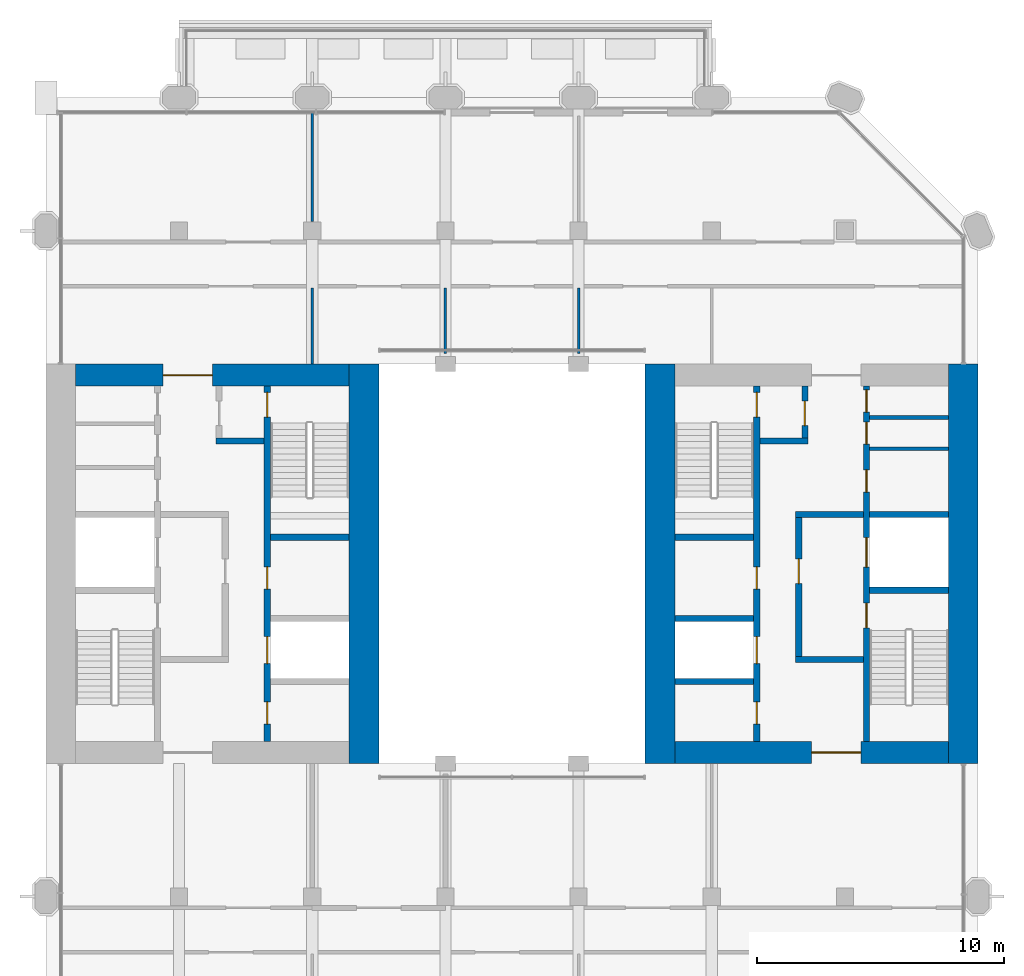
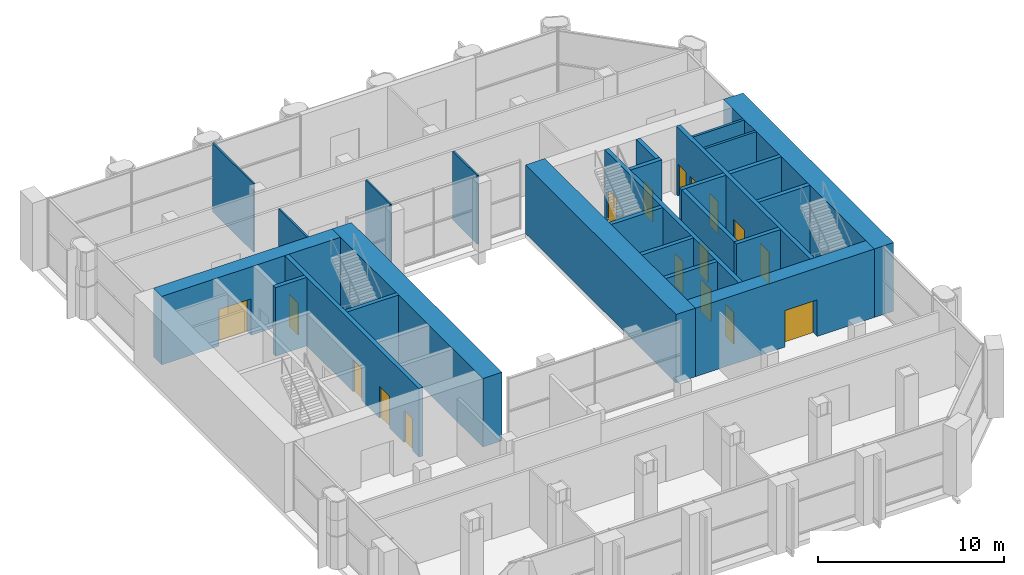
# One storey, part 9 of 13: 26 walls, 17 doors, 17 openings.
"""IFC4 building model written with IfcOpenShell, lengths in metres."""

from ifc_helpers import new_model, si_unit, direction, frame, frame_2d, origin, place, context, subcontext, project, spatial, rectangle, extrude, material, layer, layer_set, type_object, element, fill, save


model = new_model("IFC4")

# Units and contexts
model_context = context("Model", 3, precision=1e-05, world=origin(), true_north=direction((0.0, 1.0)))
body_context = subcontext(model_context, "Body", "Model", "MODEL_VIEW")
ifc_project = project(units=[si_unit("LENGTHUNIT", "METRE"), si_unit("AREAUNIT", "SQUARE_METRE"), si_unit("VOLUMEUNIT", "CUBIC_METRE"), si_unit("PLANEANGLEUNIT", "RADIAN"), si_unit("MASSUNIT", "GRAM", prefix="KILO")], contexts=[model_context])

# Site, building, storey
site_placement = place(None, origin())
site = spatial("IfcSite", under=ifc_project, at=site_placement, CompositionType="ELEMENT")
building_placement = place(site_placement, origin())
building = spatial("IfcBuilding", under=site, at=building_placement, Name="Tabaq Tower and Sports Hall", CompositionType="ELEMENT")
storey_placement = place(building_placement, frame((0.0, 0.0, 255.699951171875)))
storey = spatial("IfcBuildingStorey", under=building, at=storey_placement, Name="L62", CompositionType="ELEMENT", Elevation=255.699951171875)

# Walls
ifc_material_1 = material(Name="Blockwork", Category="masonry")
ifc_layer_1 = layer(ifc_material_1, 0.14990234375)
ifc_layer_set_1 = layer_set([ifc_layer_1], Name="Core room partition 150 Blockwork")
wall_type_1 = type_object("IfcWallType", Name="Core room partition 150 Blockwork", PredefinedType="PARTITIONING", material=ifc_layer_set_1)
for number, where, z_axis, x_axis, name in (
    (1, (38.800048828125, 28.962890625, 0.0), (0.0, 0.0, 1.0), (1.0, 0.0, 0.0), "Core room partition E L62"),
    (2, (38.800048828125, 30.23193359375, 0.0), (0.0, 0.0, 1.0), (1.0, 0.0, 0.0), "Core room partition E L62"),
):
    element("IfcWall", number, at=place(storey_placement, frame(where, z_axis=z_axis, x_axis=x_axis)), inside=storey, type_object=wall_type_1, Name=name, PredefinedType="PARTITIONING", context=body_context, shape_type="SweptSolid", body=[
        extrude(rectangle(XDim=3.199951171875, YDim=0.14990234375, at=frame_2d((1.60009765625, 0.0))), origin(), (0.0, 0.0, 1.0), 4.5),
    ])
ifc_material_2 = material(Name="Concrete C40/50", Category="concrete")
ifc_layer_2 = layer(ifc_material_2, 1.199951171875)
ifc_layer_set_2 = layer_set([ifc_layer_2], Name="Core wall 1200 Concrete C40/50")
wall_type_2 = type_object("IfcWallType", Name="Core wall 1200 Concrete C40/50", PredefinedType="SOLIDWALL", material=ifc_layer_set_2)
for number, where, z_axis, x_axis, name in (
    (3, (18.300048828125, 32.39990234375, 0.0), (0.0, 0.0, 1.0), (0.0, -1.0, 0.0), "Core wall W L62"),
    (4, (42.60009765625, 32.39990234375, 0.0), (0.0, 0.0, 1.0), (0.0, -1.0, 0.0), "Core wall E L62"),
    (5, (30.300048828125, 16.199951171875, 0.0), (0.0, 0.0, 1.0), (0.0, 1.0, 0.0), "Core wall E L62"),
):
    element("IfcWall", number, at=place(storey_placement, frame(where, z_axis=z_axis, x_axis=x_axis)), inside=storey, type_object=wall_type_2, Name=name, PredefinedType="SOLIDWALL", context=body_context, shape_type="SweptSolid", body=[
        extrude(rectangle(XDim=16.199951171875, YDim=1.199951171875, at=frame_2d((8.10009765625, 0.0))), origin(), (0.0, 0.0, 1.0), 4.5),
    ])

# Wall, opening, door
ifc_material_3 = material(Name="Concrete C40/50", Category="concrete")
ifc_layer_3 = layer(ifc_material_3, 0.89990234375)
ifc_layer_set_3 = layer_set([ifc_layer_3], Name="Core wall 900 Concrete C40/50")
wall_type_3 = type_object("IfcWallType", Name="Core wall 900 Concrete C40/50", PredefinedType="SOLIDWALL", material=ifc_layer_set_3)
wall_1_placement = place(storey_placement, frame((6.60009765625, 31.949951171875, 0.0), z_axis=(0.0, 0.0, 1.0), x_axis=(1.0, 0.0, 0.0)))
wall_1 = element("IfcWall", 6, at=wall_1_placement, inside=storey, type_object=wall_type_3, Name="Core wall W L62", PredefinedType="SOLIDWALL", context=body_context, shape_type="SweptSolid", body=[
    extrude(rectangle(XDim=11.099853515625, YDim=0.89990234375, at=frame_2d((5.5498046875, 0.0))), origin(), (0.0, 0.0, 1.0), 4.5),
])
opening_1_placement = place(wall_1_placement, frame((3.550048828125, 0.0, 0.0)))
opening_1 = element("IfcOpeningElement", 7, at=opening_1_placement, cuts=wall_1, Name="Opening PD-WL62-02", PredefinedType="OPENING", context=body_context, shape_type="SweptSolid", body=[
    extrude(rectangle(XDim=2.0, YDim=2.39990234375, at=frame_2d((1.0, 1.199951171875))), frame((0.0, 0.449951171875, 0.0), z_axis=(0.0, -1.0, 0.0), x_axis=(1.0, 0.0, 0.0)), (0.0, 0.0, 1.0), 0.89990234375),
])
ifc_material_4 = material(Name="Steel fire door", Category="steel")
door_type_1 = type_object("IfcDoorType", Name="Core entrance door 2000", OperationType="DOUBLE_DOOR_SINGLE_SWING", PredefinedType="DOOR", material=ifc_material_4)
door_1_placement = place(opening_1_placement, origin())
door_1 = element("IfcDoor", 8, at=door_1_placement, inside=storey, type_object=door_type_1, Name="Core entrance north W L62", OperationType="DOUBLE_DOOR_SINGLE_SWING", OverallHeight=2.39990234375, OverallWidth=2.0, PredefinedType="DOOR", context=body_context, shape_type="SweptSolid", body=[
    extrude(rectangle(XDim=2.0, YDim=2.39990234375, at=frame_2d((1.0, 1.199951171875))), frame((0.0, 0.02490234375, 0.0), z_axis=(0.0, -1.0, 0.0), x_axis=(1.0, 0.0, 0.0)), (0.0, 0.0, 1.0), 0.050048828125),
])
fill(opening_1, door_1)

wall_2_placement = place(storey_placement, frame((42.0, 16.64990234375, 0.0), z_axis=(0.0, 0.0, 1.0), x_axis=(-1.0, 0.0, 0.0)))
wall_2 = element("IfcWall", 9, at=wall_2_placement, inside=storey, type_object=wall_type_3, Name="Core wall E L62", PredefinedType="SOLIDWALL", context=body_context, shape_type="SweptSolid", body=[
    extrude(rectangle(XDim=11.10009765625, YDim=0.89990234375, at=frame_2d((5.550048828125, 0.0))), origin(), (0.0, 0.0, 1.0), 4.5),
])
opening_2_placement = place(wall_2_placement, frame((3.550048828125, 0.0, 0.0)))
opening_2 = element("IfcOpeningElement", 10, at=opening_2_placement, cuts=wall_2, Name="Opening PD-EL62-01", PredefinedType="OPENING", context=body_context, shape_type="SweptSolid", body=[
    extrude(rectangle(XDim=2.0, YDim=2.39990234375, at=frame_2d((1.0, 1.199951171875))), frame((0.0, 0.449951171875, 0.0), z_axis=(0.0, -1.0, 0.0), x_axis=(1.0, 0.0, 0.0)), (0.0, 0.0, 1.0), 0.89990234375),
])
door_2_placement = place(opening_2_placement, origin())
door_2 = element("IfcDoor", 11, at=door_2_placement, inside=storey, type_object=door_type_1, Name="Core entrance south E L62", OperationType="DOUBLE_DOOR_SINGLE_SWING", OverallHeight=2.39990234375, OverallWidth=2.0, PredefinedType="DOOR", context=body_context, shape_type="SweptSolid", body=[
    extrude(rectangle(XDim=2.0, YDim=2.39990234375, at=frame_2d((1.0, 1.199951171875))), frame((0.0, 0.02490234375, 0.0), z_axis=(0.0, -1.0, 0.0), x_axis=(1.0, 0.0, 0.0)), (0.0, 0.0, 1.0), 0.050048828125),
])
fill(opening_2, door_2)

# Walls
ifc_material_5 = material(Name="Gypsum board on steel studs", Category="steel")
ifc_layer_4 = layer(ifc_material_5, 0.10009765625)
ifc_layer_set_4 = layer_set([ifc_layer_4], Name="Partition 100 Gypsum board")
wall_type_4 = type_object("IfcWallType", Name="Partition 100 Gypsum board", PredefinedType="PARTITIONING", material=ifc_layer_set_4)
wall_3_placement = place(storey_placement, frame((16.199951171875, 42.60009765625, 0.0), z_axis=(0.0, 0.0, 1.0), x_axis=(0.0, -1.0, 0.0)))
element("IfcWall", 12, at=wall_3_placement, inside=storey, type_object=wall_type_4, Name="Partition wall L62", PredefinedType="PARTITIONING", context=body_context, shape_type="SweptSolid", body=[
    extrude(rectangle(XDim=4.43017578125, YDim=0.10009765625, at=frame_2d((2.215087890625, 0.0))), origin(), (0.0, 0.0, 1.0), 4.5),
])
for number, where, z_axis, x_axis, name in (
    (13, (27.0, 35.47509765625, 0.0), (0.0, 0.0, 1.0), (0.0, -1.0, 0.0), "Partition wall L62"),
    (14, (21.60009765625, 35.47509765625, 0.0), (0.0, 0.0, 1.0), (0.0, -1.0, 0.0), "Partition wall L62"),
):
    element("IfcWall", number, at=place(storey_placement, frame(where, z_axis=z_axis, x_axis=x_axis)), inside=storey, type_object=wall_type_4, Name=name, PredefinedType="PARTITIONING", context=body_context, shape_type="SweptSolid", body=[
        extrude(rectangle(XDim=2.655029296875, YDim=0.10009765625, at=frame_2d((1.32763671875, 0.0))), origin(), (0.0, 0.0, 1.0), 4.5),
    ])
wall_4_placement = place(storey_placement, frame((16.199951171875, 35.47509765625, 0.0), z_axis=(0.0, 0.0, 1.0), x_axis=(0.0, -1.0, 0.0)))
element("IfcWall", 15, at=wall_4_placement, inside=storey, type_object=wall_type_4, Name="Partition wall L62", PredefinedType="PARTITIONING", context=body_context, shape_type="SweptSolid", body=[
    extrude(rectangle(XDim=3.0751953125, YDim=0.10009765625, at=frame_2d((1.53759765625, 0.0))), origin(), (0.0, 0.0, 1.0), 4.5),
])

# Wall, openings, doors
ifc_material_6 = material(Name="Concrete C40/50", Category="concrete")
ifc_layer_5 = layer(ifc_material_6, 0.25)
ifc_layer_set_5 = layer_set([ifc_layer_5], Name="Shaft and stair wall 250 Concrete C40/50")
wall_type_5 = type_object("IfcWallType", Name="Shaft and stair wall 250 Concrete C40/50", PredefinedType="SOLIDWALL", material=ifc_layer_set_5)
wall_5_placement = place(storey_placement, frame((14.375, 17.10009765625, 0.0), z_axis=(0.0, 0.0, 1.0), x_axis=(0.0, 1.0, 0.0)))
wall_5 = element("IfcWall", 16, at=wall_5_placement, inside=storey, type_object=wall_type_5, Name="Shaft wall W L62", PredefinedType="SOLIDWALL", context=body_context, shape_type="SweptSolid", body=[
    extrude(rectangle(XDim=14.39990234375, YDim=0.25, at=frame_2d((7.199951171875, 0.0))), origin(), (0.0, 0.0, 1.0), 4.5),
])
opening_3_placement = place(wall_5_placement, frame((13.14990234375, 0.0, 0.0)))
opening_3 = element("IfcOpeningElement", 17, at=opening_3_placement, cuts=wall_5, Name="Opening SD-WL62-05", PredefinedType="OPENING", context=body_context, shape_type="SweptSolid", body=[
    extrude(rectangle(XDim=1.0, YDim=2.10009765625, at=frame_2d((0.5, 1.050048828125))), frame((0.0, 0.125, 0.0), z_axis=(0.0, -1.0, 0.0), x_axis=(1.0, 0.0, 0.0)), (0.0, 0.0, 1.0), 0.25),
])
opening_4_placement = place(wall_5_placement, frame((3.14990234375, 0.0, 0.0)))
opening_4 = element("IfcOpeningElement", 18, at=opening_4_placement, cuts=wall_5, Name="Opening LD-HR1-L62", PredefinedType="OPENING", context=body_context, shape_type="SweptSolid", body=[
    extrude(rectangle(XDim=1.10009765625, YDim=2.10009765625, at=frame_2d((0.550048828125, 1.050048828125))), frame((0.0, 0.125, 0.0), z_axis=(0.0, -1.0, 0.0), x_axis=(1.0, 0.0, 0.0)), (0.0, 0.0, 1.0), 0.25),
])
opening_5_placement = place(wall_5_placement, frame((0.699951171875, 0.0, 0.0)))
opening_5 = element("IfcOpeningElement", 19, at=opening_5_placement, cuts=wall_5, Name="Opening RD-WL62-12", PredefinedType="OPENING", context=body_context, shape_type="SweptSolid", body=[
    extrude(rectangle(XDim=0.89990234375, YDim=2.10009765625, at=frame_2d((0.449951171875, 1.050048828125))), frame((0.0, 0.125, 0.0), z_axis=(0.0, -1.0, 0.0), x_axis=(1.0, 0.0, 0.0)), (0.0, 0.0, 1.0), 0.25),
])
opening_6_placement = place(wall_5_placement, frame((6.175048828125, 0.0, 0.0)))
opening_6 = element("IfcOpeningElement", 20, at=opening_6_placement, cuts=wall_5, Name="Opening RD-WL62-13", PredefinedType="OPENING", context=body_context, shape_type="SweptSolid", body=[
    extrude(rectangle(XDim=0.89990234375, YDim=2.10009765625, at=frame_2d((0.449951171875, 1.050048828125))), frame((0.0, 0.125, 0.0), z_axis=(0.0, -1.0, 0.0), x_axis=(1.0, 0.0, 0.0)), (0.0, 0.0, 1.0), 0.25),
])
ifc_material_7 = material(Name="Steel fire door", Category="steel")
door_type_2 = type_object("IfcDoorType", Name="Core room door 900", OperationType="SINGLE_SWING_LEFT", PredefinedType="DOOR", material=ifc_material_7)
door_3_placement = place(opening_5_placement, origin())
door_3 = element("IfcDoor", 21, at=door_3_placement, inside=storey, type_object=door_type_2, Name="Door Electrical Riser Room W L62", OperationType="SINGLE_SWING_LEFT", OverallHeight=2.10009765625, OverallWidth=0.89990234375, PredefinedType="DOOR", context=body_context, shape_type="SweptSolid", body=[
    extrude(rectangle(XDim=0.89990234375, YDim=2.10009765625, at=frame_2d((0.449951171875, 1.050048828125))), frame((0.0, 0.02490234375, 0.0), z_axis=(0.0, -1.0, 0.0), x_axis=(1.0, 0.0, 0.0)), (0.0, 0.0, 1.0), 0.050048828125),
])
fill(opening_5, door_3)
door_4_placement = place(opening_6_placement, origin())
door_4 = element("IfcDoor", 22, at=door_4_placement, inside=storey, type_object=door_type_2, Name="Door Riser Room W L62", OperationType="SINGLE_SWING_LEFT", OverallHeight=2.10009765625, OverallWidth=0.89990234375, PredefinedType="DOOR", context=body_context, shape_type="SweptSolid", body=[
    extrude(rectangle(XDim=0.89990234375, YDim=2.10009765625, at=frame_2d((0.449951171875, 1.050048828125))), frame((0.0, 0.02490234375, 0.0), z_axis=(0.0, -1.0, 0.0), x_axis=(1.0, 0.0, 0.0)), (0.0, 0.0, 1.0), 0.050048828125),
])
fill(opening_6, door_4)
ifc_material_8 = material(Name="Stainless steel", Category="steel")
door_type_3 = type_object("IfcDoorType", Name="Lift landing door 1100", OperationType="DOUBLE_DOOR_SLIDING", PredefinedType="DOOR", material=ifc_material_8)
door_5_placement = place(opening_4_placement, origin())
door_5 = element("IfcDoor", 23, at=door_5_placement, inside=storey, type_object=door_type_3, Name="Lift landing door HR1 W L62", OperationType="DOUBLE_DOOR_SLIDING", OverallHeight=2.10009765625, OverallWidth=1.10009765625, PredefinedType="DOOR", context=body_context, shape_type="SweptSolid", body=[
    extrude(rectangle(XDim=1.10009765625, YDim=2.10009765625, at=frame_2d((0.550048828125, 1.050048828125))), frame((0.0, 0.02490234375, 0.0), z_axis=(0.0, -1.0, 0.0), x_axis=(1.0, 0.0, 0.0)), (0.0, 0.0, 1.0), 0.050048828125),
])
fill(opening_4, door_5)
ifc_material_9 = material(Name="Steel fire door", Category="steel")
door_type_4 = type_object("IfcDoorType", Name="Stair door 1000", OperationType="SINGLE_SWING_LEFT", PredefinedType="DOOR", material=ifc_material_9)
door_6_placement = place(opening_3_placement, origin())
door_6 = element("IfcDoor", 24, at=door_6_placement, inside=storey, type_object=door_type_4, Name="Stair door ST2 W L62", OperationType="SINGLE_SWING_LEFT", OverallHeight=2.10009765625, OverallWidth=1.0, PredefinedType="DOOR", context=body_context, shape_type="SweptSolid", body=[
    extrude(rectangle(XDim=1.0, YDim=2.10009765625, at=frame_2d((0.5, 1.050048828125))), frame((0.0, 0.02490234375, 0.0), z_axis=(0.0, -1.0, 0.0), x_axis=(1.0, 0.0, 0.0)), (0.0, 0.0, 1.0), 0.050048828125),
])
fill(opening_3, door_6)

# Walls
wall_6_placement = place(storey_placement, frame((14.5, 25.375, 0.0), z_axis=(0.0, 0.0, 1.0), x_axis=(1.0, 0.0, 0.0)))
element("IfcWall", 25, at=wall_6_placement, inside=storey, type_object=wall_type_5, Name="Stair enclosure wall W L62", PredefinedType="SOLIDWALL", context=body_context, shape_type="SweptSolid", body=[
    extrude(rectangle(XDim=3.199951171875, YDim=0.25, at=frame_2d((1.60009765625, 0.0))), origin(), (0.0, 0.0, 1.0), 4.5),
])
wall_7_placement = place(storey_placement, frame((12.300048828125, 29.27490234375, 0.0), z_axis=(0.0, 0.0, 1.0), x_axis=(1.0, 0.0, 0.0)))
element("IfcWall", 26, at=wall_7_placement, inside=storey, type_object=wall_type_5, Name="Fire-fighting lobby wall W L62", PredefinedType="SOLIDWALL", context=body_context, shape_type="SweptSolid", body=[
    extrude(rectangle(XDim=1.949951171875, YDim=0.25, at=frame_2d((0.97509765625, 0.0))), origin(), (0.0, 0.0, 1.0), 4.5),
])

# Wall, openings, doors
wall_8_placement = place(storey_placement, frame((38.675048828125, 17.10009765625, 0.0), z_axis=(0.0, 0.0, 1.0), x_axis=(0.0, 1.0, 0.0)))
wall_8 = element("IfcWall", 27, at=wall_8_placement, inside=storey, type_object=wall_type_5, Name="Shaft wall E L62", PredefinedType="SOLIDWALL", context=body_context, shape_type="SweptSolid", body=[
    extrude(rectangle(XDim=14.39990234375, YDim=0.25, at=frame_2d((7.199951171875, 0.0))), origin(), (0.0, 0.0, 1.0), 4.5),
])
opening_7_placement = place(wall_8_placement, frame((4.60009765625, 0.0, 0.0)))
opening_7 = element("IfcOpeningElement", 28, at=opening_7_placement, cuts=wall_8, Name="Opening SD-EL62-03", PredefinedType="OPENING", context=body_context, shape_type="SweptSolid", body=[
    extrude(rectangle(XDim=1.0, YDim=2.10009765625, at=frame_2d((0.5, 1.050048828125))), frame((0.0, 0.125, 0.0), z_axis=(0.0, -1.0, 0.0), x_axis=(1.0, 0.0, 0.0)), (0.0, 0.0, 1.0), 0.25),
])
opening_8_placement = place(wall_8_placement, frame((7.0625, 0.0, 0.0)))
opening_8 = element("IfcOpeningElement", 29, at=opening_8_placement, cuts=wall_8, Name="Opening LD-FF2-L62", PredefinedType="OPENING", context=body_context, shape_type="SweptSolid", body=[
    extrude(rectangle(XDim=1.199951171875, YDim=2.10009765625, at=frame_2d((0.60009765625, 1.050048828125))), frame((0.0, 0.125, 0.0), z_axis=(0.0, -1.0, 0.0), x_axis=(1.0, 0.0, 0.0)), (0.0, 0.0, 1.0), 0.25),
])
opening_9_placement = place(wall_8_placement, frame((10.1064453125, 0.0, 0.0)))
opening_9 = element("IfcOpeningElement", 30, at=opening_9_placement, cuts=wall_8, Name="Opening RD-EL62-09", PredefinedType="OPENING", context=body_context, shape_type="SweptSolid", body=[
    extrude(rectangle(XDim=0.89990234375, YDim=2.10009765625, at=frame_2d((0.449951171875, 1.050048828125))), frame((0.0, 0.125, 0.0), z_axis=(0.0, -1.0, 0.0), x_axis=(1.0, 0.0, 0.0)), (0.0, 0.0, 1.0), 0.25),
])
opening_10_placement = place(wall_8_placement, frame((12.047607421875, 0.0, 0.0)))
opening_10 = element("IfcOpeningElement", 31, at=opening_10_placement, cuts=wall_8, Name="Opening RD-EL62-10", PredefinedType="OPENING", context=body_context, shape_type="SweptSolid", body=[
    extrude(rectangle(XDim=0.89990234375, YDim=2.10009765625, at=frame_2d((0.449951171875, 1.050048828125))), frame((0.0, 0.125, 0.0), z_axis=(0.0, -1.0, 0.0), x_axis=(1.0, 0.0, 0.0)), (0.0, 0.0, 1.0), 0.25),
])
opening_11_placement = place(wall_8_placement, frame((13.353515625, 0.0, 0.0)))
opening_11 = element("IfcOpeningElement", 32, at=opening_11_placement, cuts=wall_8, Name="Opening RD-EL62-11", PredefinedType="OPENING", context=body_context, shape_type="SweptSolid", body=[
    extrude(rectangle(XDim=0.89990234375, YDim=2.10009765625, at=frame_2d((0.449951171875, 1.050048828125))), frame((0.0, 0.125, 0.0), z_axis=(0.0, -1.0, 0.0), x_axis=(1.0, 0.0, 0.0)), (0.0, 0.0, 1.0), 0.25),
])
door_7_placement = place(opening_9_placement, origin())
door_7 = element("IfcDoor", 33, at=door_7_placement, inside=storey, type_object=door_type_2, Name="Door Unisex WC E L62", OperationType="SINGLE_SWING_LEFT", OverallHeight=2.10009765625, OverallWidth=0.89990234375, PredefinedType="DOOR", context=body_context, shape_type="SweptSolid", body=[
    extrude(rectangle(XDim=0.89990234375, YDim=2.10009765625, at=frame_2d((0.449951171875, 1.050048828125))), frame((0.0, 0.02490234375, 0.0), z_axis=(0.0, -1.0, 0.0), x_axis=(1.0, 0.0, 0.0)), (0.0, 0.0, 1.0), 0.050048828125),
])
fill(opening_9, door_7)
door_8_placement = place(opening_10_placement, origin())
door_8 = element("IfcDoor", 34, at=door_8_placement, inside=storey, type_object=door_type_2, Name="Door Cleaner's Store E L62", OperationType="SINGLE_SWING_LEFT", OverallHeight=2.10009765625, OverallWidth=0.89990234375, PredefinedType="DOOR", context=body_context, shape_type="SweptSolid", body=[
    extrude(rectangle(XDim=0.89990234375, YDim=2.10009765625, at=frame_2d((0.449951171875, 1.050048828125))), frame((0.0, 0.02490234375, 0.0), z_axis=(0.0, -1.0, 0.0), x_axis=(1.0, 0.0, 0.0)), (0.0, 0.0, 1.0), 0.050048828125),
])
fill(opening_10, door_8)
door_9_placement = place(opening_11_placement, origin())
door_9 = element("IfcDoor", 35, at=door_9_placement, inside=storey, type_object=door_type_2, Name="Door Accessible WC E L62", OperationType="SINGLE_SWING_LEFT", OverallHeight=2.10009765625, OverallWidth=0.89990234375, PredefinedType="DOOR", context=body_context, shape_type="SweptSolid", body=[
    extrude(rectangle(XDim=0.89990234375, YDim=2.10009765625, at=frame_2d((0.449951171875, 1.050048828125))), frame((0.0, 0.02490234375, 0.0), z_axis=(0.0, -1.0, 0.0), x_axis=(1.0, 0.0, 0.0)), (0.0, 0.0, 1.0), 0.050048828125),
])
fill(opening_11, door_9)
ifc_material_10 = material(Name="Stainless steel", Category="steel")
door_type_5 = type_object("IfcDoorType", Name="Lift landing door 1200", OperationType="DOUBLE_DOOR_SLIDING", PredefinedType="DOOR", material=ifc_material_10)
door_10_placement = place(opening_8_placement, origin())
door_10 = element("IfcDoor", 36, at=door_10_placement, inside=storey, type_object=door_type_5, Name="Lift landing door FF2 E L62", OperationType="DOUBLE_DOOR_SLIDING", OverallHeight=2.10009765625, OverallWidth=1.199951171875, PredefinedType="DOOR", context=body_context, shape_type="SweptSolid", body=[
    extrude(rectangle(XDim=1.199951171875, YDim=2.10009765625, at=frame_2d((0.60009765625, 1.050048828125))), frame((0.0, 0.02490234375, 0.0), z_axis=(0.0, -1.0, 0.0), x_axis=(1.0, 0.0, 0.0)), (0.0, 0.0, 1.0), 0.050048828125),
])
fill(opening_8, door_10)
door_11_placement = place(opening_7_placement, origin())
door_11 = element("IfcDoor", 37, at=door_11_placement, inside=storey, type_object=door_type_4, Name="Stair door ST3 E L62", OperationType="SINGLE_SWING_LEFT", OverallHeight=2.10009765625, OverallWidth=1.0, PredefinedType="DOOR", context=body_context, shape_type="SweptSolid", body=[
    extrude(rectangle(XDim=1.0, YDim=2.10009765625, at=frame_2d((0.5, 1.050048828125))), frame((0.0, 0.02490234375, 0.0), z_axis=(0.0, -1.0, 0.0), x_axis=(1.0, 0.0, 0.0)), (0.0, 0.0, 1.0), 0.050048828125),
])
fill(opening_7, door_11)

wall_9_placement = place(storey_placement, frame((34.22509765625, 17.10009765625, 0.0), z_axis=(0.0, 0.0, 1.0), x_axis=(0.0, 1.0, 0.0)))
wall_9 = element("IfcWall", 38, at=wall_9_placement, inside=storey, type_object=wall_type_5, Name="Shaft wall E L62", PredefinedType="SOLIDWALL", context=body_context, shape_type="SweptSolid", body=[
    extrude(rectangle(XDim=14.39990234375, YDim=0.25, at=frame_2d((7.199951171875, 0.0))), origin(), (0.0, 0.0, 1.0), 4.5),
])
opening_12_placement = place(wall_9_placement, frame((13.14990234375, 0.0, 0.0)))
opening_12 = element("IfcOpeningElement", 39, at=opening_12_placement, cuts=wall_9, Name="Opening SD-EL62-05", PredefinedType="OPENING", context=body_context, shape_type="SweptSolid", body=[
    extrude(rectangle(XDim=1.0, YDim=2.10009765625, at=frame_2d((0.5, 1.050048828125))), frame((0.0, 0.125, 0.0), z_axis=(0.0, -1.0, 0.0), x_axis=(1.0, 0.0, 0.0)), (0.0, 0.0, 1.0), 0.25),
])
opening_13_placement = place(wall_9_placement, frame((3.14990234375, 0.0, 0.0)))
opening_13 = element("IfcOpeningElement", 40, at=opening_13_placement, cuts=wall_9, Name="Opening LD-HR2-L62", PredefinedType="OPENING", context=body_context, shape_type="SweptSolid", body=[
    extrude(rectangle(XDim=1.10009765625, YDim=2.10009765625, at=frame_2d((0.550048828125, 1.050048828125))), frame((0.0, 0.125, 0.0), z_axis=(0.0, -1.0, 0.0), x_axis=(1.0, 0.0, 0.0)), (0.0, 0.0, 1.0), 0.25),
])
opening_14_placement = place(wall_9_placement, frame((0.699951171875, 0.0, 0.0)))
opening_14 = element("IfcOpeningElement", 41, at=opening_14_placement, cuts=wall_9, Name="Opening RD-EL62-12", PredefinedType="OPENING", context=body_context, shape_type="SweptSolid", body=[
    extrude(rectangle(XDim=0.89990234375, YDim=2.10009765625, at=frame_2d((0.449951171875, 1.050048828125))), frame((0.0, 0.125, 0.0), z_axis=(0.0, -1.0, 0.0), x_axis=(1.0, 0.0, 0.0)), (0.0, 0.0, 1.0), 0.25),
])
opening_15_placement = place(wall_9_placement, frame((6.175048828125, 0.0, 0.0)))
opening_15 = element("IfcOpeningElement", 42, at=opening_15_placement, cuts=wall_9, Name="Opening RD-EL62-13", PredefinedType="OPENING", context=body_context, shape_type="SweptSolid", body=[
    extrude(rectangle(XDim=0.89990234375, YDim=2.10009765625, at=frame_2d((0.449951171875, 1.050048828125))), frame((0.0, 0.125, 0.0), z_axis=(0.0, -1.0, 0.0), x_axis=(1.0, 0.0, 0.0)), (0.0, 0.0, 1.0), 0.25),
])
door_12_placement = place(opening_14_placement, origin())
door_12 = element("IfcDoor", 43, at=door_12_placement, inside=storey, type_object=door_type_2, Name="Door Electrical Riser Room E L62", OperationType="SINGLE_SWING_LEFT", OverallHeight=2.10009765625, OverallWidth=0.89990234375, PredefinedType="DOOR", context=body_context, shape_type="SweptSolid", body=[
    extrude(rectangle(XDim=0.89990234375, YDim=2.10009765625, at=frame_2d((0.449951171875, 1.050048828125))), frame((0.0, 0.02490234375, 0.0), z_axis=(0.0, -1.0, 0.0), x_axis=(1.0, 0.0, 0.0)), (0.0, 0.0, 1.0), 0.050048828125),
])
fill(opening_14, door_12)
door_13_placement = place(opening_15_placement, origin())
door_13 = element("IfcDoor", 44, at=door_13_placement, inside=storey, type_object=door_type_2, Name="Door Riser Room E L62", OperationType="SINGLE_SWING_LEFT", OverallHeight=2.10009765625, OverallWidth=0.89990234375, PredefinedType="DOOR", context=body_context, shape_type="SweptSolid", body=[
    extrude(rectangle(XDim=0.89990234375, YDim=2.10009765625, at=frame_2d((0.449951171875, 1.050048828125))), frame((0.0, 0.02490234375, 0.0), z_axis=(0.0, -1.0, 0.0), x_axis=(1.0, 0.0, 0.0)), (0.0, 0.0, 1.0), 0.050048828125),
])
fill(opening_15, door_13)
door_14_placement = place(opening_13_placement, origin())
door_14 = element("IfcDoor", 45, at=door_14_placement, inside=storey, type_object=door_type_3, Name="Lift landing door HR2 E L62", OperationType="DOUBLE_DOOR_SLIDING", OverallHeight=2.10009765625, OverallWidth=1.10009765625, PredefinedType="DOOR", context=body_context, shape_type="SweptSolid", body=[
    extrude(rectangle(XDim=1.10009765625, YDim=2.10009765625, at=frame_2d((0.550048828125, 1.050048828125))), frame((0.0, 0.02490234375, 0.0), z_axis=(0.0, -1.0, 0.0), x_axis=(1.0, 0.0, 0.0)), (0.0, 0.0, 1.0), 0.050048828125),
])
fill(opening_13, door_14)
door_15_placement = place(opening_12_placement, origin())
door_15 = element("IfcDoor", 46, at=door_15_placement, inside=storey, type_object=door_type_4, Name="Stair door ST4 E L62", OperationType="SINGLE_SWING_LEFT", OverallHeight=2.10009765625, OverallWidth=1.0, PredefinedType="DOOR", context=body_context, shape_type="SweptSolid", body=[
    extrude(rectangle(XDim=1.0, YDim=2.10009765625, at=frame_2d((0.5, 1.050048828125))), frame((0.0, 0.02490234375, 0.0), z_axis=(0.0, -1.0, 0.0), x_axis=(1.0, 0.0, 0.0)), (0.0, 0.0, 1.0), 0.050048828125),
])
fill(opening_12, door_15)

# Walls
wall_10_placement = place(storey_placement, frame((38.800048828125, 23.22509765625, 0.0), z_axis=(0.0, 0.0, 1.0), x_axis=(1.0, 0.0, 0.0)))
element("IfcWall", 47, at=wall_10_placement, inside=storey, type_object=wall_type_5, Name="Stair enclosure wall E L62", PredefinedType="SOLIDWALL", context=body_context, shape_type="SweptSolid", body=[
    extrude(rectangle(XDim=3.199951171875, YDim=0.25, at=frame_2d((1.60009765625, 0.0))), origin(), (0.0, 0.0, 1.0), 4.5),
])
for number, where, z_axis, x_axis, name in (
    (48, (30.89990234375, 25.375, 0.0), (0.0, 0.0, 1.0), (1.0, 0.0, 0.0), "Stair enclosure wall E L62"),
    (49, (30.89990234375, 22.074951171875, 0.0), (0.0, 0.0, 1.0), (1.0, 0.0, 0.0), "Shaft wall E L62"),
):
    element("IfcWall", number, at=place(storey_placement, frame(where, z_axis=z_axis, x_axis=x_axis)), inside=storey, type_object=wall_type_5, Name=name, PredefinedType="SOLIDWALL", context=body_context, shape_type="SweptSolid", body=[
        extrude(rectangle(XDim=3.2001953125, YDim=0.25, at=frame_2d((1.60009765625, 0.0))), origin(), (0.0, 0.0, 1.0), 4.5),
    ])
wall_11_placement = place(storey_placement, frame((38.800048828125, 26.300048828125, 0.0), z_axis=(0.0, 0.0, 1.0), x_axis=(1.0, 0.0, 0.0)))
element("IfcWall", 50, at=wall_11_placement, inside=storey, type_object=wall_type_5, Name="Shaft wall E L62", PredefinedType="SOLIDWALL", context=body_context, shape_type="SweptSolid", body=[
    extrude(rectangle(XDim=3.199951171875, YDim=0.25, at=frame_2d((1.60009765625, 0.0))), origin(), (0.0, 0.0, 1.0), 4.5),
])
for number, where, z_axis, x_axis, name in (
    (51, (35.800048828125, 26.300048828125, 0.0), (0.0, 0.0, 1.0), (1.0, 0.0, 0.0), "Fire-fighting lobby wall E L62"),
    (52, (35.800048828125, 20.425048828125, 0.0), (0.0, 0.0, 1.0), (1.0, 0.0, 0.0), "Fire-fighting lobby wall E L62"),
):
    element("IfcWall", number, at=place(storey_placement, frame(where, z_axis=z_axis, x_axis=x_axis)), inside=storey, type_object=wall_type_5, Name=name, PredefinedType="SOLIDWALL", context=body_context, shape_type="SweptSolid", body=[
        extrude(rectangle(XDim=2.75, YDim=0.25, at=frame_2d((1.375, 0.0))), origin(), (0.0, 0.0, 1.0), 4.5),
    ])

# Wall, opening, door
wall_12_placement = place(storey_placement, frame((36.175048828125, 29.39990234375, 0.0), z_axis=(0.0, 0.0, 1.0), x_axis=(0.0, 1.0, 0.0)))
wall_12 = element("IfcWall", 53, at=wall_12_placement, inside=storey, type_object=wall_type_5, Name="Fire-fighting lobby wall E L62", PredefinedType="SOLIDWALL", context=body_context, shape_type="SweptSolid", body=[
    extrude(rectangle(XDim=2.10009765625, YDim=0.25, at=frame_2d((1.050048828125, 0.0))), origin(), (0.0, 0.0, 1.0), 4.5),
])
opening_16_placement = place(wall_12_placement, frame((0.5, 0.0, 0.0)))
opening_16 = element("IfcOpeningElement", 54, at=opening_16_placement, cuts=wall_12, Name="Opening FD-EL62-06", PredefinedType="OPENING", context=body_context, shape_type="SweptSolid", body=[
    extrude(rectangle(XDim=1.0, YDim=2.10009765625, at=frame_2d((0.5, 1.050048828125))), frame((0.0, 0.125, 0.0), z_axis=(0.0, -1.0, 0.0), x_axis=(1.0, 0.0, 0.0)), (0.0, 0.0, 1.0), 0.25),
])
ifc_material_11 = material(Name="Steel fire door", Category="steel")
door_type_6 = type_object("IfcDoorType", Name="Fire-fighting lobby door 1000", OperationType="SINGLE_SWING_LEFT", PredefinedType="DOOR", material=ifc_material_11)
door_16_placement = place(opening_16_placement, origin())
door_16 = element("IfcDoor", 55, at=door_16_placement, inside=storey, type_object=door_type_6, Name="Stair lobby door E L62", OperationType="SINGLE_SWING_LEFT", OverallHeight=2.10009765625, OverallWidth=1.0, PredefinedType="DOOR", context=body_context, shape_type="SweptSolid", body=[
    extrude(rectangle(XDim=1.0, YDim=2.10009765625, at=frame_2d((0.5, 1.050048828125))), frame((0.0, 0.02490234375, 0.0), z_axis=(0.0, -1.0, 0.0), x_axis=(1.0, 0.0, 0.0)), (0.0, 0.0, 1.0), 0.050048828125),
])
fill(opening_16, door_16)

# Wall
wall_13_placement = place(storey_placement, frame((34.35009765625, 29.27490234375, 0.0), z_axis=(0.0, 0.0, 1.0), x_axis=(1.0, 0.0, 0.0)))
element("IfcWall", 56, at=wall_13_placement, inside=storey, type_object=wall_type_5, Name="Fire-fighting lobby wall E L62", PredefinedType="SOLIDWALL", context=body_context, shape_type="SweptSolid", body=[
    extrude(rectangle(XDim=1.949951171875, YDim=0.25, at=frame_2d((0.97509765625, 0.0))), origin(), (0.0, 0.0, 1.0), 4.5),
])

# Wall, opening, door
wall_14_placement = place(storey_placement, frame((35.925048828125, 20.550048828125, 0.0), z_axis=(0.0, 0.0, 1.0), x_axis=(0.0, 1.0, 0.0)))
wall_14 = element("IfcWall", 57, at=wall_14_placement, inside=storey, type_object=wall_type_5, Name="Fire-fighting lobby wall E L62", PredefinedType="SOLIDWALL", context=body_context, shape_type="SweptSolid", body=[
    extrude(rectangle(XDim=5.625, YDim=0.25, at=frame_2d((2.8125, 0.0))), origin(), (0.0, 0.0, 1.0), 4.5),
])
opening_17_placement = place(wall_14_placement, frame((2.949951171875, 0.0, 0.0)))
opening_17 = element("IfcOpeningElement", 58, at=opening_17_placement, cuts=wall_14, Name="Opening FD-EL62-04", PredefinedType="OPENING", context=body_context, shape_type="SweptSolid", body=[
    extrude(rectangle(XDim=1.0, YDim=2.10009765625, at=frame_2d((0.5, 1.050048828125))), frame((0.0, 0.125, 0.0), z_axis=(0.0, -1.0, 0.0), x_axis=(1.0, 0.0, 0.0)), (0.0, 0.0, 1.0), 0.25),
])
door_17_placement = place(opening_17_placement, origin())
door_17 = element("IfcDoor", 59, at=door_17_placement, inside=storey, type_object=door_type_6, Name="Fire-fighting lobby door E L62", OperationType="SINGLE_SWING_LEFT", OverallHeight=2.10009765625, OverallWidth=1.0, PredefinedType="DOOR", context=body_context, shape_type="SweptSolid", body=[
    extrude(rectangle(XDim=1.0, YDim=2.10009765625, at=frame_2d((0.5, 1.050048828125))), frame((0.0, 0.02490234375, 0.0), z_axis=(0.0, -1.0, 0.0), x_axis=(1.0, 0.0, 0.0)), (0.0, 0.0, 1.0), 0.050048828125),
])
fill(opening_17, door_17)

# Wall
wall_15_placement = place(storey_placement, frame((30.89990234375, 19.52490234375, 0.0), z_axis=(0.0, 0.0, 1.0), x_axis=(1.0, 0.0, 0.0)))
element("IfcWall", 60, at=wall_15_placement, inside=storey, type_object=wall_type_5, Name="Shaft wall E L62", PredefinedType="SOLIDWALL", context=body_context, shape_type="SweptSolid", body=[
    extrude(rectangle(XDim=3.2001953125, YDim=0.25, at=frame_2d((1.60009765625, 0.0))), origin(), (0.0, 0.0, 1.0), 4.5),
])

save(model, "model.ifc")
